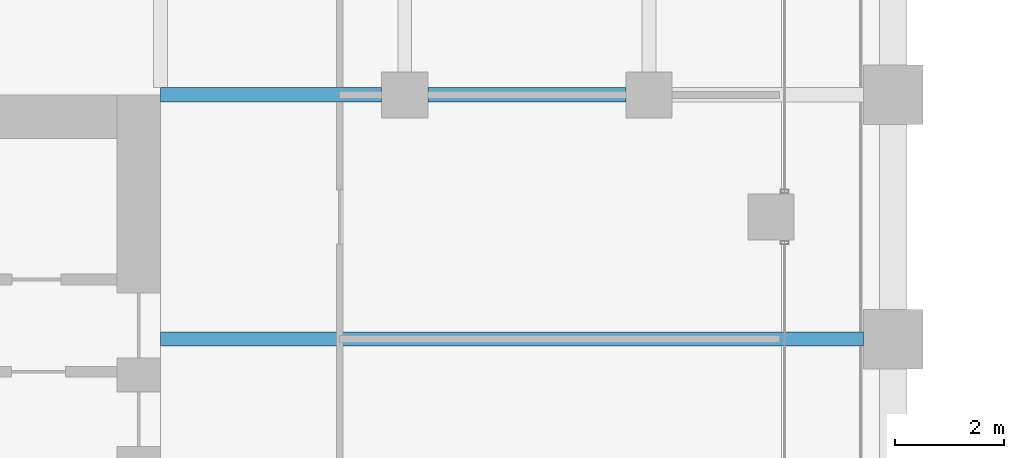
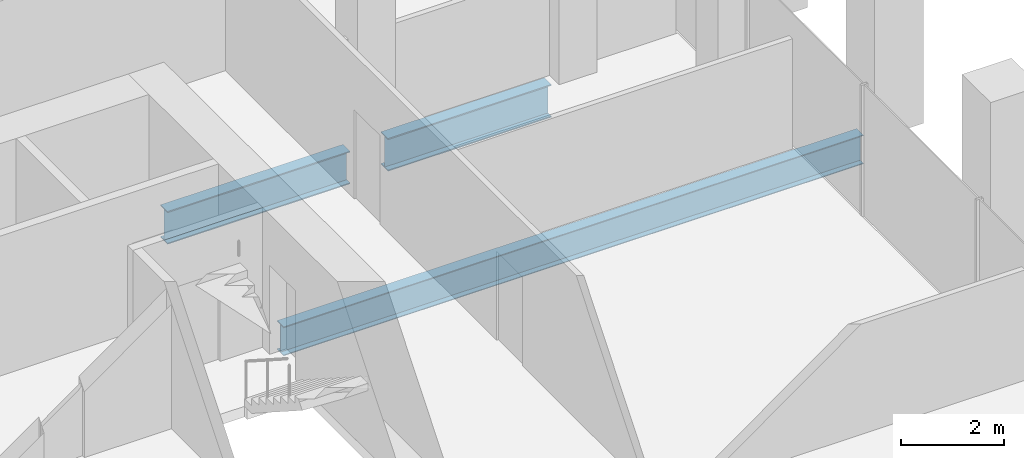
# One storey, part 21 of 56: 3 beams.
"""IFC4 building model written with IfcOpenShell, lengths in metres."""

import ifcopenshell
import ifcopenshell.guid

model = None  # the IFC model being written
_history = None  # IfcOwnerHistory: only IFC2X3 demands one
_inside = {}  # id of a spatial element -> (the spatial element, [elements in it])
_under = {}  # id of a project, library or spatial element -> (it, [spatial elements below it])
_declared = {}  # id of a project -> (the project, [libraries it declares])
_typed = {}  # id of a type object -> (the type object, [elements of that type])
_made_of = {}  # id of a material, layer set ... -> (it, [elements and type objects made of it])


def new_model(schema):
    """Start an empty IFC model of exactly this schema.

    Asked for "IFC4X3", IfcOpenShell would pick the latest addendum, in which some entities
    have other attributes; the version numbers below select the first issue.
    IFC2X3 requires an IfcOwnerHistory on every rooted entity: one is made here for all.
    """
    global model, _history
    if schema == "IFC4X3":
        model = ifcopenshell.file(schema_version=(4, 3, 0, 0))
    else:
        model = ifcopenshell.file(schema=schema)
    _inside.clear()
    _under.clear()
    _declared.clear()
    _typed.clear()
    _made_of.clear()
    _history = None
    if model.schema == "IFC2X3":
        org = make("IfcOrganization", Name="unknown")
        user = make(
            "IfcPersonAndOrganization",
            ThePerson=make("IfcPerson", FamilyName="unknown"),
            TheOrganization=org,
        )
        app = make(
            "IfcApplication",
            ApplicationDeveloper=org,
            Version="unknown",
            ApplicationFullName="unknown",
            ApplicationIdentifier="unknown",
        )
        _history = make(
            "IfcOwnerHistory",
            OwningUser=user,
            OwningApplication=app,
            ChangeAction="ADDED",
            CreationDate=0,
        )
    return model


def make(cls, **values):
    """One entity of the class cls with the attributes given. An attribute that is None is left unset."""
    return model.create_entity(
        cls, **{name: value for name, value in values.items() if value is not None}
    )


def rooted(cls, **values):
    """An entity with a GlobalId (a new one), such as an element, a storey or a relation."""
    return make(cls, GlobalId=ifcopenshell.guid.new(), OwnerHistory=_history, **values)


def si_unit(unit_type, name, prefix=None):
    """IfcSIUnit, for example si_unit("LENGTHUNIT", "METRE", prefix="MILLI")."""
    return make("IfcSIUnit", UnitType=unit_type, Prefix=prefix, Name=name)


def assignment(units):
    """IfcUnitAssignment: the units of a project."""
    return None if units is None else make("IfcUnitAssignment", Units=units)


def point(xyz):
    """IfcCartesianPoint."""
    return None if xyz is None else make("IfcCartesianPoint", Coordinates=xyz)


def direction(xyz):
    """IfcDirection."""
    return None if xyz is None else make("IfcDirection", DirectionRatios=xyz)


def frame(location, z_axis=None, x_axis=None):
    """IfcAxis2Placement3D, a coordinate frame: its origin and axes. An axis left out is left unset."""
    return make(
        "IfcAxis2Placement3D",
        Location=point(location),
        Axis=direction(z_axis),
        RefDirection=direction(x_axis),
    )


def frame_2d(location, x_axis=None):
    """IfcAxis2Placement2D, a coordinate frame in the plane: its origin and x axis."""
    return make(
        "IfcAxis2Placement2D", Location=point(location), RefDirection=direction(x_axis)
    )


def origin():
    """The frame at (0, 0, 0) with its axes left unset."""
    return frame((0.0, 0.0, 0.0))


def origin_2d():
    """The frame at (0, 0) in the plane with its x axis left unset."""
    return frame_2d((0.0, 0.0))


def place(relative_to, where):
    """IfcLocalPlacement: puts the frame where relative to a parent placement (None: the world)."""
    return make(
        "IfcLocalPlacement", PlacementRelTo=relative_to, RelativePlacement=where
    )


def context(
    kind, dimensions, precision=None, world=None, true_north=None, identifier=None
):
    """IfcGeometricRepresentationContext, for example the 3D "Model" context."""
    return make(
        "IfcGeometricRepresentationContext",
        ContextIdentifier=identifier,
        ContextType=kind,
        CoordinateSpaceDimension=dimensions,
        Precision=precision,
        WorldCoordinateSystem=world,
        TrueNorth=true_north,
    )


def subcontext(parent, identifier, kind, view, scale=None):
    """IfcGeometricRepresentationSubContext, for example "Body" below "Model"."""
    return make(
        "IfcGeometricRepresentationSubContext",
        ContextIdentifier=identifier,
        ContextType=kind,
        ParentContext=parent,
        TargetScale=scale,
        TargetView=view,
    )


def project(units=None, contexts=None):
    """IfcProject with its units and contexts."""
    return rooted(
        "IfcProject",
        Name="project",
        RepresentationContexts=contexts,
        UnitsInContext=assignment(units),
    )


def spatial(cls, under=None, at=None, **own):
    """A site, building, storey or space (cls), placed at a placement, below another one or the project."""
    s = rooted(cls, ObjectPlacement=at, **own)
    if under is not None:
        _under.setdefault(under.id(), (under, []))[1].append(s)
    return s


def profile(cls, at=None, kind="AREA", **sizes):
    """A parametric profile (cls). Its sizes go by their IFC names, for example OverallWidth=200.0."""
    return make(cls, ProfileType=kind, Position=at, **sizes)


def i_section(**sizes):
    """IfcIShapeProfileDef."""
    return profile("IfcIShapeProfileDef", **sizes)


def extrude(swept, where, along, depth):
    """IfcExtrudedAreaSolid: the profile swept, set in the frame where, extruded along a direction by depth."""
    return make(
        "IfcExtrudedAreaSolid",
        SweptArea=swept,
        Position=where,
        ExtrudedDirection=direction(along),
        Depth=depth,
    )


def shape(context_of_items, identifier, shape_type, items):
    """IfcShapeRepresentation: the items that make up one representation, for example the "Body"."""
    return make(
        "IfcShapeRepresentation",
        ContextOfItems=context_of_items,
        RepresentationIdentifier=identifier,
        RepresentationType=shape_type,
        Items=items,
    )


def material(Name=None, Category=None):
    """IfcMaterial."""
    return make("IfcMaterial", Name=Name, Category=Category)


def material_profile(
    of_material, cross_section, Name=None, Category=None, Priority=None
):
    """IfcMaterialProfile: a cross section and its material."""
    return make(
        "IfcMaterialProfile",
        Name=Name,
        Material=of_material,
        Profile=cross_section,
        Priority=Priority,
        Category=Category,
    )


def profile_set(profiles, Name=None, composite=None):
    """IfcMaterialProfileSet."""
    return make(
        "IfcMaterialProfileSet",
        Name=Name,
        MaterialProfiles=profiles,
        CompositeProfile=composite,
    )


def made_of(thing, what):
    """Note that an element or type object is made of a material, layer set ...; save() writes the relation."""
    if what is not None:
        _made_of.setdefault(what.id(), (what, []))[1].append(thing)
    return thing


def type_object(cls, material=None, **own):
    """A type object (cls), such as IfcWallType, which elements share."""
    return made_of(rooted(cls, **own), material)


def element(
    cls,
    number,
    at=None,
    inside=None,
    cuts=None,
    type_object=None,
    material=None,
    context=None,
    identifier="Body",
    shape_type=None,
    held_by="IfcProductDefinitionShape",
    body=None,
    shapes=None,
    **own,
):
    """One element of the class cls, such as IfcWall. Its Tag is "e" and its number.

    at: its placement. inside: the storey or other place that contains it. cuts: it is an
    opening in that element (IfcRelVoidsElement). A single representation is given by context,
    identifier, shape_type and body (its items); several are given by shapes. held_by: the class
    of the entity that holds the representations. save() writes the other relations.
    """
    e = rooted(cls, Tag="e%d" % number, ObjectPlacement=at, **own)
    if body is not None:
        shapes = [shape(context, identifier, shape_type, body)]
    if shapes is not None:
        e.Representation = make(held_by, Representations=shapes)
    if inside is not None:
        _inside.setdefault(inside.id(), (inside, []))[1].append(e)
    if cuts is not None:
        rooted(
            "IfcRelVoidsElement", RelatingBuildingElement=cuts, RelatedOpeningElement=e
        )
    if type_object is not None:
        _typed.setdefault(type_object.id(), (type_object, []))[1].append(e)
    return made_of(e, material)


def aggregate(whole, parts):
    """IfcRelAggregates: a whole, such as a stair, and the parts it consists of."""
    return rooted("IfcRelAggregates", RelatingObject=whole, RelatedObjects=parts)


def save(model, path):
    """Write the relations noted so far, then the file.

    IfcRelAggregates (storeys below a building ...), IfcRelContainedInSpatialStructure (elements
    in a storey), IfcRelDefinesByType, IfcRelAssociatesMaterial and IfcRelDeclares: one each for
    every whole, place, type object, material and project.
    """
    for whole, parts in _under.values():
        aggregate(whole, parts)
    for where, things in _inside.values():
        rooted(
            "IfcRelContainedInSpatialStructure",
            RelatedElements=things,
            RelatingStructure=where,
        )
    for kind, things in _typed.values():
        rooted("IfcRelDefinesByType", RelatedObjects=things, RelatingType=kind)
    for what, things in _made_of.values():
        rooted("IfcRelAssociatesMaterial", RelatedObjects=things, RelatingMaterial=what)
    for by, libraries in _declared.values():
        rooted("IfcRelDeclares", RelatingContext=by, RelatedDefinitions=libraries)
    model.write(path)


model = new_model("IFC4")

# Units and contexts
model_context = context("Model", 3, precision=1e-05, world=origin(), true_north=direction((0.0, 1.0)))
body_context = subcontext(model_context, "Body", "Model", "MODEL_VIEW")
ifc_project = project(units=[si_unit("LENGTHUNIT", "METRE"), si_unit("AREAUNIT", "SQUARE_METRE"), si_unit("VOLUMEUNIT", "CUBIC_METRE"), si_unit("PLANEANGLEUNIT", "RADIAN"), si_unit("MASSUNIT", "GRAM", prefix="KILO")], contexts=[model_context])

# Site, building, storey
site_placement = place(None, origin())
site = spatial("IfcSite", under=ifc_project, at=site_placement, CompositionType="ELEMENT")
building_placement = place(site_placement, origin())
building = spatial("IfcBuilding", under=site, at=building_placement, Name="Altepetl Exchange Towers", CompositionType="ELEMENT")
storey_placement = place(building_placement, frame((0.0, 0.0, 83.39990234375)))
storey = spatial("IfcBuildingStorey", under=building, at=storey_placement, Name="L20", CompositionType="ELEMENT", Elevation=83.39990234375)

# Beams
ifc_material = material(Name="Steel S355", Category="steel")
ifc_material_profile_1 = material_profile(ifc_material, i_section(OverallWidth=0.25390625, OverallDepth=0.68408203125, WebThickness=0.012451171875, FlangeThickness=0.018798828125, at=origin_2d()), Name="W27X94")
ifc_profile_set_1 = profile_set([ifc_material_profile_1], Name="Steel S355")
beam_type_1 = type_object("IfcBeamType", Name="Floor beam W27X94", PredefinedType="BEAM", material=ifc_profile_set_1)
beam_1_placement = place(storey_placement, frame((58.5, 54.0, -0.491943359375), z_axis=(1.0, 0.0, 0.0), x_axis=(0.0, 1.0, 0.0)))
element("IfcBeam", 1, at=beam_1_placement, inside=storey, type_object=beam_type_1, Name="bm:A:L20:011", PredefinedType="BEAM", context=body_context, shape_type="SweptSolid", body=[
    extrude(i_section(OverallWidth=0.25390625, OverallDepth=0.68408203125, WebThickness=0.012451171875, FlangeThickness=0.018798828125, at=origin_2d()), origin(), (0.0, 0.0, 1.0), 12.949951171875),
])
ifc_material_profile_2 = material_profile(ifc_material, i_section(OverallWidth=0.26806640625, OverallDepth=0.77392578125, WebThickness=0.015380859375, FlangeThickness=0.025390625, at=origin_2d()), Name="W30X132")
ifc_profile_set_2 = profile_set([ifc_material_profile_2], Name="Steel S355")
beam_type_2 = type_object("IfcBeamType", Name="Girder W30X132", PredefinedType="BEAM", material=ifc_profile_set_2)
beam_2_placement = place(storey_placement, frame((58.5, 58.5, -0.536865234375), z_axis=(1.0, 0.0, 0.0), x_axis=(0.0, 1.0, 0.0)))
element("IfcBeam", 2, at=beam_2_placement, inside=storey, type_object=beam_type_2, Name="gd:A:L20:000", PredefinedType="BEAM", context=body_context, shape_type="SweptSolid", body=[
    extrude(i_section(OverallWidth=0.26806640625, OverallDepth=0.77392578125, WebThickness=0.015380859375, FlangeThickness=0.025390625, at=origin_2d()), origin(), (0.0, 0.0, 1.0), 4.074951171875),
])
beam_3_placement = place(storey_placement, frame((63.425048828125, 58.5, -0.536865234375), z_axis=(1.0, 0.0, 0.0), x_axis=(0.0, 1.0, 0.0)))
element("IfcBeam", 3, at=beam_3_placement, inside=storey, type_object=beam_type_2, Name="gd:A:L20:001", PredefinedType="BEAM", context=body_context, shape_type="SweptSolid", body=[
    extrude(i_section(OverallWidth=0.26806640625, OverallDepth=0.77392578125, WebThickness=0.015380859375, FlangeThickness=0.025390625, at=origin_2d()), origin(), (0.0, 0.0, 1.0), 3.64990234375),
])

save(model, "model.ifc")
